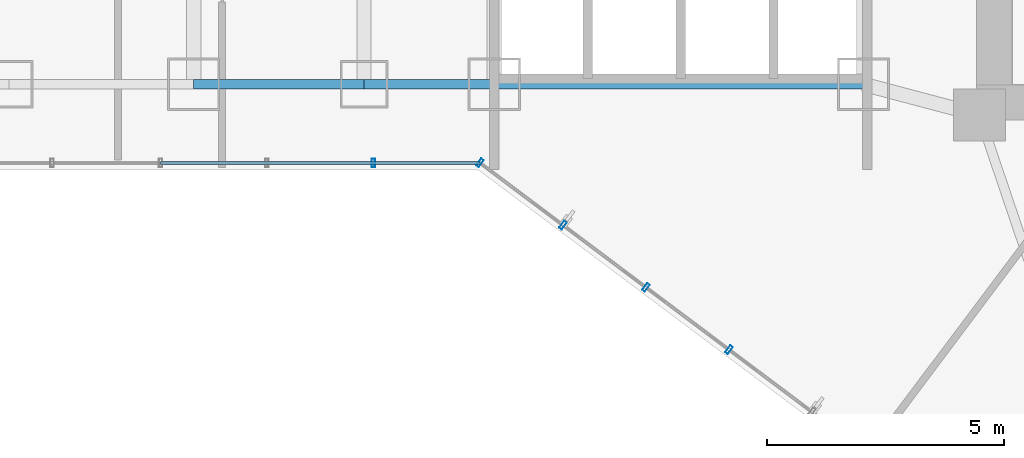
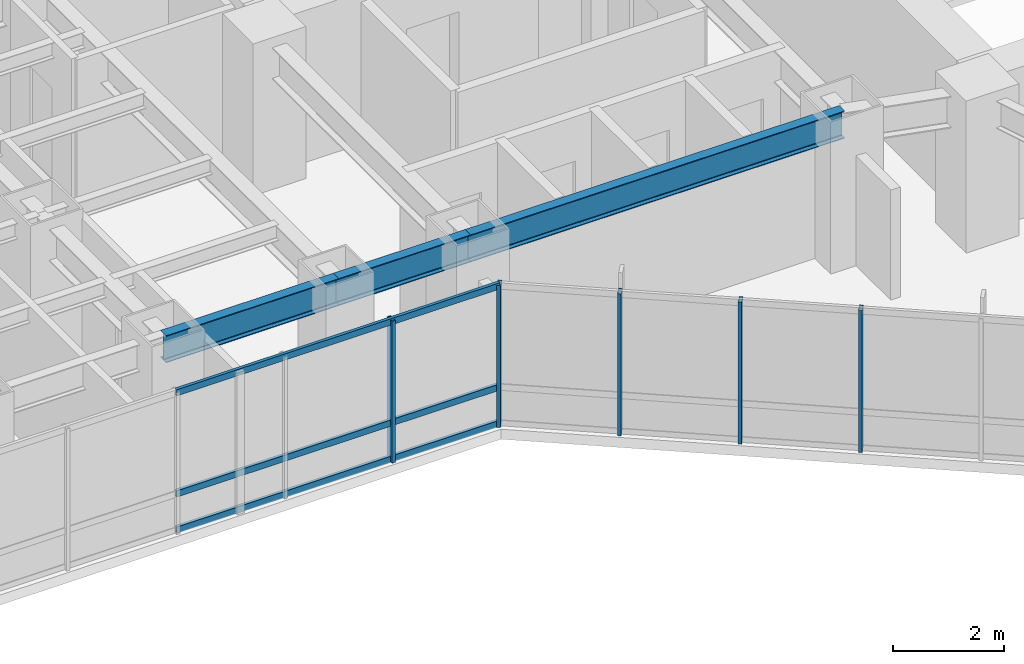
# One storey, part 7 of 38: 8 members, 3 beams, 2 elements without a shape of their own.
"""IFC4 building model written with IfcOpenShell, lengths in metres."""

from ifc_helpers import new_model, si_unit, direction, frame, origin, origin_2d, place, context, subcontext, project, spatial, hollow_rectangle, i_section, extrude, material, layer, layer_set, material_profile, profile_set, type_object, element, aggregate, save


model = new_model("IFC4")

# Units and contexts
model_context = context("Model", 3, precision=1e-05, world=origin(), true_north=direction((0.0, 1.0)))
body_context = subcontext(model_context, "Body", "Model", "MODEL_VIEW")
ifc_project = project(units=[si_unit("LENGTHUNIT", "METRE"), si_unit("AREAUNIT", "SQUARE_METRE"), si_unit("VOLUMEUNIT", "CUBIC_METRE"), si_unit("PLANEANGLEUNIT", "RADIAN"), si_unit("MASSUNIT", "GRAM", prefix="KILO")], contexts=[model_context])

# Site, building, storey
site_placement = place(None, origin())
site = spatial("IfcSite", under=ifc_project, at=site_placement, CompositionType="ELEMENT")
building_placement = place(site_placement, origin())
building = spatial("IfcBuilding", under=site, at=building_placement, Name="Hatsunagi Terrace Concourse", CompositionType="ELEMENT")
storey_placement = place(building_placement, frame((0.0, 0.0, 63.39990234375)))
storey = spatial("IfcBuildingStorey", under=building, at=storey_placement, Name="L16", CompositionType="ELEMENT", Elevation=63.39990234375)

# Curtain wall, members
ifc_material_1 = material(Name="Anodised Aluminium Alloy 6063-T5", Category="aluminium")
ifc_layer = layer(ifc_material_1, 0.199951171875)
ifc_layer_set = layer_set([ifc_layer], Name="HotelFacade_CW02")
curtain_wall_type = type_object("IfcCurtainWallType", Name="HotelFacade_CW02", PredefinedType="NOTDEFINED", material=ifc_layer_set)
curtain_wall_1_placement = place(storey_placement, origin())
curtain_wall_1 = element("IfcCurtainWall", 1, at=curtain_wall_1_placement, inside=storey, type_object=curtain_wall_type, Name="Unitised Curtain Wall CW-02 CW-L16-05", PredefinedType="NOTDEFINED")
ifc_material_2 = material(Name="Anodised Aluminium Alloy 6063-T5", Category="aluminium")
ifc_material_profile_1 = material_profile(ifc_material_2, hollow_rectangle(XDim=0.070068359375, YDim=0.179931640625, WallThickness=0.00390625, at=origin_2d()), Name="ALU-MUL-180x70x4")
ifc_profile_set_1 = profile_set([ifc_material_profile_1], Name="Anodised Aluminium Alloy 6063-T5")
member_type_1 = type_object("IfcMemberType", Name="CurtainWallMullion_180x70", PredefinedType="MULLION", material=ifc_profile_set_1)
member_1_placement = place(storey_placement, frame((30.510009765625, 19.593017578125, 0.0), z_axis=(0.0, 0.0, 1.0), x_axis=(-0.800003116929, 0.599995844072, 0.0)))
member_1 = element("IfcMember", 2, at=member_1_placement, type_object=member_type_1, Name="Curtain Wall Mullion MUL-02", PredefinedType="MULLION", context=body_context, shape_type="SweptSolid", body=[
    extrude(hollow_rectangle(XDim=0.070068359375, YDim=0.179931640625, WallThickness=0.00390625, at=origin_2d()), origin(), (0.0, 0.0, 1.0), 3.130126953125),
])
member_2_placement = place(storey_placement, frame((28.756103515625, 20.907958984375, 0.0), z_axis=(0.0, 0.0, 1.0), x_axis=(-0.800003116929, 0.599995844072, 0.0)))
member_2 = element("IfcMember", 3, at=member_2_placement, type_object=member_type_1, Name="Curtain Wall Mullion MUL-02", PredefinedType="MULLION", context=body_context, shape_type="SweptSolid", body=[
    extrude(hollow_rectangle(XDim=0.070068359375, YDim=0.179931640625, WallThickness=0.00390625, at=origin_2d()), origin(), (0.0, 0.0, 1.0), 3.130126953125),
])
member_3_placement = place(storey_placement, frame((27.0009765625, 22.22412109375, 0.0), z_axis=(0.0, 0.0, 1.0), x_axis=(-0.800003116929, 0.599995844072, 0.0)))
member_3 = element("IfcMember", 4, at=member_3_placement, type_object=member_type_1, Name="Curtain Wall Mullion MUL-02", PredefinedType="MULLION", context=body_context, shape_type="SweptSolid", body=[
    extrude(hollow_rectangle(XDim=0.070068359375, YDim=0.179931640625, WallThickness=0.00390625, at=origin_2d()), origin(), (0.0, 0.0, 1.0), 3.130126953125),
])
member_4_placement = place(storey_placement, frame((25.2470703125, 23.5400390625, 0.0), z_axis=(0.0, 0.0, 1.0), x_axis=(-0.800003116929, 0.599995844072, 0.0)))
member_4 = element("IfcMember", 5, at=member_4_placement, type_object=member_type_1, Name="Curtain Wall Mullion MUL-02", PredefinedType="MULLION", context=body_context, shape_type="SweptSolid", body=[
    extrude(hollow_rectangle(XDim=0.070068359375, YDim=0.179931640625, WallThickness=0.00390625, at=origin_2d()), origin(), (0.0, 0.0, 1.0), 3.130126953125),
])
aggregate(curtain_wall_1, [member_1, member_2, member_3, member_4])

curtain_wall_2_placement = place(storey_placement, origin())
curtain_wall_2 = element("IfcCurtainWall", 6, at=curtain_wall_2_placement, inside=storey, type_object=curtain_wall_type, Name="Unitised Curtain Wall CW-02 CW-L16-06", PredefinedType="NOTDEFINED")
member_5_placement = place(storey_placement, frame((22.998046875, 23.5400390625, 0.0), z_axis=(0.0, 0.0, 1.0), x_axis=(-1.0, 0.0, 0.0)))
member_5 = element("IfcMember", 7, at=member_5_placement, type_object=member_type_1, Name="Curtain Wall Mullion MUL-02", PredefinedType="MULLION", context=body_context, shape_type="SweptSolid", body=[
    extrude(hollow_rectangle(XDim=0.070068359375, YDim=0.179931640625, WallThickness=0.00390625, at=origin_2d()), origin(), (0.0, 0.0, 1.0), 3.130126953125),
])
ifc_material_3 = material(Name="Anodised Aluminium Alloy 6063-T5", Category="aluminium")
ifc_material_profile_2 = material_profile(ifc_material_3, hollow_rectangle(XDim=0.06494140625, YDim=0.139892578125, WallThickness=0.00390625, at=origin_2d()), Name="ALU-TRN-140x65x4")
ifc_profile_set_2 = profile_set([ifc_material_profile_2], Name="Anodised Aluminium Alloy 6063-T5")
member_type_2 = type_object("IfcMemberType", Name="CurtainWallTransom_140x65", PredefinedType="USERDEFINED", material=ifc_profile_set_2)
member_6_placement = place(storey_placement, frame((25.2470703125, 23.5400390625, 0.050048828125), z_axis=(-1.0, 0.0, 0.0), x_axis=(0.0, -1.0, 0.0)))
member_6 = element("IfcMember", 8, at=member_6_placement, type_object=member_type_2, Name="Curtain Wall Transom TRN-02", ObjectType="TRANSOM", PredefinedType="USERDEFINED", context=body_context, shape_type="SweptSolid", body=[
    extrude(hollow_rectangle(XDim=0.06494140625, YDim=0.139892578125, WallThickness=0.00390625, at=origin_2d()), origin(), (0.0, 0.0, 1.0), 6.7470703125),
])
member_7_placement = place(storey_placement, frame((25.2470703125, 23.5400390625, 0.85009765625), z_axis=(-1.0, 0.0, 0.0), x_axis=(0.0, -1.0, 0.0)))
member_7 = element("IfcMember", 9, at=member_7_placement, type_object=member_type_2, Name="Curtain Wall Transom TRN-02", ObjectType="TRANSOM", PredefinedType="USERDEFINED", context=body_context, shape_type="SweptSolid", body=[
    extrude(hollow_rectangle(XDim=0.06494140625, YDim=0.139892578125, WallThickness=0.00390625, at=origin_2d()), origin(), (0.0, 0.0, 1.0), 6.7470703125),
])
member_8_placement = place(storey_placement, frame((25.2470703125, 23.5400390625, 3.080078125), z_axis=(-1.0, 0.0, 0.0), x_axis=(0.0, -1.0, 0.0)))
member_8 = element("IfcMember", 10, at=member_8_placement, type_object=member_type_2, Name="Curtain Wall Transom TRN-02", ObjectType="TRANSOM", PredefinedType="USERDEFINED", context=body_context, shape_type="SweptSolid", body=[
    extrude(hollow_rectangle(XDim=0.06494140625, YDim=0.139892578125, WallThickness=0.00390625, at=origin_2d()), origin(), (0.0, 0.0, 1.0), 6.7470703125),
])
aggregate(curtain_wall_2, [member_5, member_6, member_7, member_8])

# Beams
ifc_material_4 = material(Name="Steel SN490B", Category="steel")
ifc_material_profile_3 = material_profile(ifc_material_4, i_section(OverallWidth=0.199951171875, OverallDepth=0.60009765625, WebThickness=0.010986328125, FlangeThickness=0.01708984375, FilletRadius=0.01806640625, at=origin_2d()), Name="H-600x200x11x17")
ifc_profile_set_3 = profile_set([ifc_material_profile_3], Name="Steel SN490B")
beam_type = type_object("IfcBeamType", Name="PerimeterSpandrel_H_600x200", PredefinedType="SPANDREL", material=ifc_profile_set_3)
beam_1_placement = place(storey_placement, frame((19.199951171875, 25.199951171875, 2.830078125), z_axis=(1.0, 0.0, 0.0), x_axis=(0.0, 1.0, 0.0)))
element("IfcBeam", 11, at=beam_1_placement, inside=storey, type_object=beam_type, Name="Beam SP-01 BM-L16-WS-19", PredefinedType="SPANDREL", context=body_context, shape_type="SweptSolid", body=[
    extrude(i_section(OverallWidth=0.199951171875, OverallDepth=0.60009765625, WebThickness=0.010986328125, FlangeThickness=0.01708984375, FilletRadius=0.01806640625, at=origin_2d()), origin(), (0.0, 0.0, 1.0), 3.60009765625),
])
beam_2_placement = place(storey_placement, frame((22.800048828125, 25.199951171875, 2.830078125), z_axis=(1.0, 0.0, 0.0), x_axis=(0.0, 1.0, 0.0)))
element("IfcBeam", 12, at=beam_2_placement, inside=storey, type_object=beam_type, Name="Beam SP-01 BM-L16-WS-22", PredefinedType="SPANDREL", context=body_context, shape_type="SweptSolid", body=[
    extrude(i_section(OverallWidth=0.199951171875, OverallDepth=0.60009765625, WebThickness=0.010986328125, FlangeThickness=0.01708984375, FilletRadius=0.01806640625, at=origin_2d()), origin(), (0.0, 0.0, 1.0), 2.75),
])
beam_3_placement = place(storey_placement, frame((25.550048828125, 25.199951171875, 2.830078125), z_axis=(1.0, 0.0, 0.0), x_axis=(0.0, 1.0, 0.0)))
element("IfcBeam", 13, at=beam_3_placement, inside=storey, type_object=beam_type, Name="Beam SP-01 BM-L16-WS-25", PredefinedType="SPANDREL", context=body_context, shape_type="SweptSolid", body=[
    extrude(i_section(OverallWidth=0.199951171875, OverallDepth=0.60009765625, WebThickness=0.010986328125, FlangeThickness=0.01708984375, FilletRadius=0.01806640625, at=origin_2d()), origin(), (0.0, 0.0, 1.0), 7.800048828125),
])

save(model, "model.ifc")
